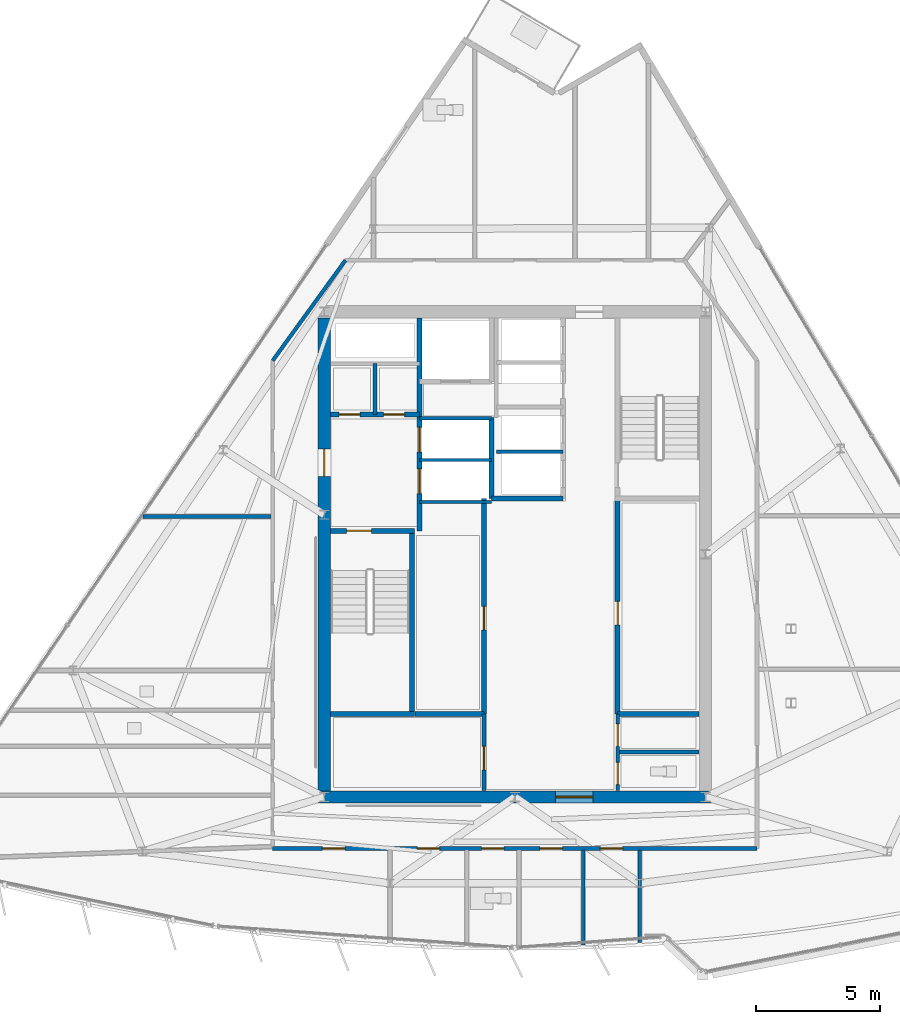
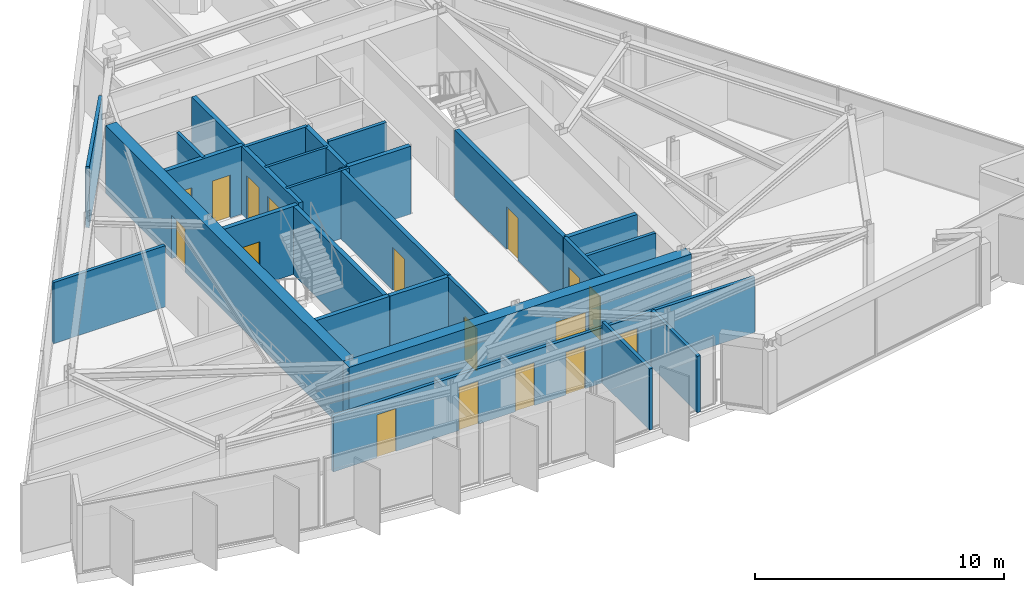
# One storey, part 8 of 14: 26 walls, 17 doors, 17 openings.
"""IFC4 building model written with IfcOpenShell, lengths in metres."""

from ifc_helpers import new_model, si_unit, direction, frame, frame_2d, origin, place, context, subcontext, project, spatial, rectangle, extrude, material, layer, layer_set, type_object, element, fill, save


model = new_model("IFC4")

# Units and contexts
model_context = context("Model", 3, precision=1e-05, world=origin(), true_north=direction((0.0, 1.0)))
body_context = subcontext(model_context, "Body", "Model", "MODEL_VIEW")
ifc_project = project(units=[si_unit("LENGTHUNIT", "METRE"), si_unit("AREAUNIT", "SQUARE_METRE"), si_unit("VOLUMEUNIT", "CUBIC_METRE"), si_unit("PLANEANGLEUNIT", "RADIAN"), si_unit("MASSUNIT", "GRAM", prefix="KILO")], contexts=[model_context])

# Site, building, storey
site_placement = place(None, origin())
site = spatial("IfcSite", under=ifc_project, at=site_placement, CompositionType="ELEMENT")
building_placement = place(site_placement, origin())
building = spatial("IfcBuilding", under=site, at=building_placement, Name="Savorim Split Tower", CompositionType="ELEMENT")
storey_placement = place(building_placement, frame((0.0, 0.0, 294.0)))
storey = spatial("IfcBuildingStorey", under=building, at=storey_placement, Name="L78", CompositionType="ELEMENT", Elevation=294.0)

# Wall, opening, door
ifc_material_1 = material(Name="Concrete C60/75", Category="concrete")
ifc_layer_1 = layer(ifc_material_1, 0.5)
ifc_layer_set_1 = layer_set([ifc_layer_1], Name="WAL-COR-SH500")
wall_type_1 = type_object("IfcWallType", Name="WAL-COR-SH500", PredefinedType="SHEAR", material=ifc_layer_set_1)
wall_1_placement = place(storey_placement, frame((-7.949951171875, -9.39990234375, 0.0), z_axis=(0.0, 0.0, 1.0), x_axis=(1.0, 0.0, 0.0)))
wall_1 = element("IfcWall", 1, at=wall_1_placement, inside=storey, type_object=wall_type_1, Name="L78 Offset Core South Shear Wall", PredefinedType="SHEAR", context=body_context, shape_type="SweptSolid", body=[
    extrude(rectangle(XDim=15.89990234375, YDim=0.5, at=frame_2d((7.949951171875, 0.0))), origin(), (0.0, 0.0, 1.0), 3.340087890625),
])
opening_1_placement = place(wall_1_placement, frame((9.60009765625, 0.0, 0.0)))
opening_1 = element("IfcOpeningElement", 2, at=opening_1_placement, cuts=wall_1, Name="Opening DI-02", PredefinedType="OPENING", context=body_context, shape_type="SweptSolid", body=[
    extrude(rectangle(XDim=1.5, YDim=2.199951171875, at=frame_2d((0.75, 1.10009765625))), frame((0.0, 0.260009765625, 0.0), z_axis=(0.0, -1.0, 0.0), x_axis=(1.0, 0.0, 0.0)), (0.0, 0.0, 1.0), 0.52001953125),
])
ifc_material_2 = material(Name="Timber Fire Door Leaf", Category="wood")
door_type_1 = type_object("IfcDoorType", Name="DOR-DBL-1500", OperationType="NOTDEFINED", PredefinedType="DOOR", material=ifc_material_2)
door_1_placement = place(opening_1_placement, origin())
door_1 = element("IfcDoor", 3, at=door_1_placement, inside=storey, type_object=door_type_1, Name="DOR-L78-COR-LLOB - L78 Lift Lobby Main Rated Door", OperationType="DOUBLE_DOOR_SINGLE_SWING", OverallHeight=2.199951171875, OverallWidth=1.5, PredefinedType="DOOR", context=body_context, shape_type="SweptSolid", body=[
    extrude(rectangle(XDim=1.5, YDim=2.199951171875, at=frame_2d((0.75, 1.10009765625))), frame((0.0, 0.02490234375, 0.0), z_axis=(0.0, -1.0, 0.0), x_axis=(1.0, 0.0, 0.0)), (0.0, 0.0, 1.0), 0.050048828125),
])
fill(opening_1, door_1)

wall_2_placement = place(storey_placement, frame((-7.699951171875, -9.14990234375, 0.0), z_axis=(0.0, 0.0, 1.0), x_axis=(0.0, 1.0, 0.0)))
wall_2 = element("IfcWall", 4, at=wall_2_placement, inside=storey, type_object=wall_type_1, Name="L78 Offset Core West Shear Wall", PredefinedType="SHEAR", context=body_context, shape_type="SweptSolid", body=[
    extrude(rectangle(XDim=19.099853515625, YDim=0.5, at=frame_2d((9.5498046875, 0.0))), origin(), (0.0, 0.0, 1.0), 3.340087890625),
])
opening_2_placement = place(wall_2_placement, frame((12.699951171875, 0.0, 0.0)))
opening_2 = element("IfcOpeningElement", 5, at=opening_2_placement, cuts=wall_2, Name="Opening DI-03", PredefinedType="OPENING", context=body_context, shape_type="SweptSolid", body=[
    extrude(rectangle(XDim=1.10009765625, YDim=2.14990234375, at=frame_2d((0.550048828125, 1.074951171875))), frame((0.0, 0.260009765625, 0.0), z_axis=(0.0, -1.0, 0.0), x_axis=(1.0, 0.0, 0.0)), (0.0, 0.0, 1.0), 0.52001953125),
])
door_type_2 = type_object("IfcDoorType", Name="DOR-FIR-1100", OperationType="NOTDEFINED", PredefinedType="DOOR", material=ifc_material_2)
door_2_placement = place(opening_2_placement, origin())
door_2 = element("IfcDoor", 6, at=door_2_placement, inside=storey, type_object=door_type_2, Name="DOR-L78-COR-FFLOB - L78 Firefighting Lobby Corridor Door", OperationType="SINGLE_SWING_RIGHT", OverallHeight=2.14990234375, OverallWidth=1.10009765625, PredefinedType="DOOR", context=body_context, shape_type="SweptSolid", body=[
    extrude(rectangle(XDim=1.10009765625, YDim=2.14990234375, at=frame_2d((0.550048828125, 1.074951171875))), frame((0.0, 0.02490234375, 0.0), z_axis=(0.0, -1.0, 0.0), x_axis=(1.0, 0.0, 0.0)), (0.0, 0.0, 1.0), 0.050048828125),
])
fill(opening_2, door_2)

ifc_material_3 = material(Name="Concrete C50/60", Category="concrete")
ifc_layer_2 = layer(ifc_material_3, 0.199951171875)
ifc_layer_set_2 = layer_set([ifc_layer_2], Name="WAL-INT-RC200")
wall_type_2 = type_object("IfcWallType", Name="WAL-INT-RC200", PredefinedType="SOLIDWALL", material=ifc_layer_set_2)
wall_3_placement = place(storey_placement, frame((-7.449951171875, 1.35009765625, 0.0), z_axis=(0.0, 0.0, 1.0), x_axis=(1.0, 0.0, 0.0)))
wall_3 = element("IfcWall", 7, at=wall_3_placement, inside=storey, type_object=wall_type_2, Name="L78 Structural Shaft Wall W-L78-CR01", PredefinedType="SOLIDWALL", context=body_context, shape_type="SweptSolid", body=[
    extrude(rectangle(XDim=3.39990234375, YDim=0.199951171875, at=frame_2d((1.699951171875, 0.0))), origin(), (0.0, 0.0, 1.0), 3.340087890625),
])
opening_3_placement = place(wall_3_placement, frame((0.64990234375, 0.0, 0.0)))
opening_3 = element("IfcOpeningElement", 8, at=opening_3_placement, cuts=wall_3, Name="Opening DI-04", PredefinedType="OPENING", context=body_context, shape_type="SweptSolid", body=[
    extrude(rectangle(XDim=1.0, YDim=2.14990234375, at=frame_2d((0.5, 1.074951171875))), frame((0.0, 0.10986328125, 0.0), z_axis=(0.0, -1.0, 0.0), x_axis=(1.0, 0.0, 0.0)), (0.0, 0.0, 1.0), 0.219970703125),
])
door_type_3 = type_object("IfcDoorType", Name="DOR-FIR-1000", OperationType="NOTDEFINED", PredefinedType="DOOR", material=ifc_material_2)
door_3_placement = place(opening_3_placement, origin())
door_3 = element("IfcDoor", 9, at=door_3_placement, inside=storey, type_object=door_type_3, Name="DR-L78-ST1 - L78 Stair ST-1 Enclosure Door", OperationType="SINGLE_SWING_LEFT", OverallHeight=2.14990234375, OverallWidth=1.0, PredefinedType="DOOR", context=body_context, shape_type="SweptSolid", body=[
    extrude(rectangle(XDim=1.0, YDim=2.14990234375, at=frame_2d((0.5, 1.074951171875))), frame((0.0, 0.02490234375, 0.0), z_axis=(0.0, -1.0, 0.0), x_axis=(1.0, 0.0, 0.0)), (0.0, 0.0, 1.0), 0.050048828125),
])
fill(opening_3, door_3)

# Wall
wall_4_placement = place(storey_placement, frame((-4.14990234375, -5.949951171875, 0.0), z_axis=(0.0, 0.0, 1.0), x_axis=(0.0, 1.0, 0.0)))
element("IfcWall", 10, at=wall_4_placement, inside=storey, type_object=wall_type_2, Name="L78 Structural Shaft Wall W-L78-CR02", PredefinedType="SOLIDWALL", context=body_context, shape_type="SweptSolid", body=[
    extrude(rectangle(XDim=7.199951171875, YDim=0.199951171875, at=frame_2d((3.60009765625, 0.0))), origin(), (0.0, 0.0, 1.0), 3.340087890625),
])

# Wall, openings, doors
wall_5_placement = place(storey_placement, frame((-3.85009765625, 1.35009765625, 0.0), z_axis=(0.0, 0.0, 1.0), x_axis=(0.0, 1.0, 0.0)))
wall_5 = element("IfcWall", 11, at=wall_5_placement, inside=storey, type_object=wall_type_2, Name="L78 Partition W-L78-CR03", PredefinedType="SOLIDWALL", context=body_context, shape_type="SweptSolid", body=[
    extrude(rectangle(XDim=8.594970703125, YDim=0.199951171875, at=frame_2d((4.29736328125, 0.0))), origin(), (0.0, 0.0, 1.0), 3.340087890625),
])
opening_4_placement = place(wall_5_placement, frame((1.5, 0.0, 0.0)))
opening_4 = element("IfcOpeningElement", 12, at=opening_4_placement, cuts=wall_5, Name="Opening LD-FFL", PredefinedType="OPENING", context=body_context, shape_type="SweptSolid", body=[
    extrude(rectangle(XDim=1.0, YDim=2.14990234375, at=frame_2d((0.5, 1.074951171875))), frame((0.0, 0.10986328125, 0.0), z_axis=(0.0, -1.0, 0.0), x_axis=(1.0, 0.0, 0.0)), (0.0, 0.0, 1.0), 0.219970703125),
])
opening_5_placement = place(wall_5_placement, frame((3.179931640625, 0.0, 0.0)))
opening_5 = element("IfcOpeningElement", 13, at=opening_5_placement, cuts=wall_5, Name="Opening LD-FFL", PredefinedType="OPENING", context=body_context, shape_type="SweptSolid", body=[
    extrude(rectangle(XDim=1.0, YDim=2.14990234375, at=frame_2d((0.5, 1.074951171875))), frame((0.0, 0.10986328125, 0.0), z_axis=(0.0, -1.0, 0.0), x_axis=(1.0, 0.0, 0.0)), (0.0, 0.0, 1.0), 0.219970703125),
])
ifc_material_4 = material(Name="Charcoal Anodised Aluminium", Category="aluminium")
door_type_4 = type_object("IfcDoorType", Name="DOR-SLD-LD1000", OperationType="NOTDEFINED", PredefinedType="DOOR", material=ifc_material_4)
door_4_placement = place(opening_4_placement, origin())
door_4 = element("IfcDoor", 14, at=door_4_placement, inside=storey, type_object=door_type_4, Name="DR-L78-LD-FFL1 - L78 Firefighting Lift FFL-1 Sliding Landing Door", OperationType="DOUBLE_DOOR_SLIDING", OverallHeight=2.14990234375, OverallWidth=1.0, PredefinedType="DOOR", context=body_context, shape_type="SweptSolid", body=[
    extrude(rectangle(XDim=1.0, YDim=2.14990234375, at=frame_2d((0.5, 1.074951171875))), frame((0.0, 0.02490234375, 0.0), z_axis=(0.0, -1.0, 0.0), x_axis=(1.0, 0.0, 0.0)), (0.0, 0.0, 1.0), 0.050048828125),
])
fill(opening_4, door_4)
door_5_placement = place(opening_5_placement, origin())
door_5 = element("IfcDoor", 15, at=door_5_placement, inside=storey, type_object=door_type_4, Name="DR-L78-LD-FFL2 - L78 Firefighting Lift FFL-2 Sliding Landing Door", OperationType="DOUBLE_DOOR_SLIDING", OverallHeight=2.14990234375, OverallWidth=1.0, PredefinedType="DOOR", context=body_context, shape_type="SweptSolid", body=[
    extrude(rectangle(XDim=1.0, YDim=2.14990234375, at=frame_2d((0.5, 1.074951171875))), frame((0.0, 0.02490234375, 0.0), z_axis=(0.0, -1.0, 0.0), x_axis=(1.0, 0.0, 0.0)), (0.0, 0.0, 1.0), 0.050048828125),
])
fill(opening_5, door_5)

wall_6_placement = place(storey_placement, frame((-7.445068359375, 6.050048828125, 0.0), z_axis=(0.0, 0.0, 1.0), x_axis=(1.0, 0.0, 0.0)))
wall_6 = element("IfcWall", 16, at=wall_6_placement, inside=storey, type_object=wall_type_2, Name="L78 Partition W-L78-CR04", PredefinedType="SOLIDWALL", context=body_context, shape_type="SweptSolid", body=[
    extrude(rectangle(XDim=3.594970703125, YDim=0.199951171875, at=frame_2d((1.79736328125, 0.0))), origin(), (0.0, 0.0, 1.0), 3.340087890625),
])
opening_6_placement = place(wall_6_placement, frame((0.344970703125, 0.0, 0.0)))
opening_6 = element("IfcOpeningElement", 17, at=opening_6_placement, cuts=wall_6, Name="Opening DI-12", PredefinedType="OPENING", context=body_context, shape_type="SweptSolid", body=[
    extrude(rectangle(XDim=0.85009765625, YDim=2.10009765625, at=frame_2d((0.425048828125, 1.050048828125))), frame((0.0, 0.10986328125, 0.0), z_axis=(0.0, -1.0, 0.0), x_axis=(1.0, 0.0, 0.0)), (0.0, 0.0, 1.0), 0.219970703125),
])
opening_7_placement = place(wall_6_placement, frame((2.14501953125, 0.0, 0.0)))
opening_7 = element("IfcOpeningElement", 18, at=opening_7_placement, cuts=wall_6, Name="Opening DI-12", PredefinedType="OPENING", context=body_context, shape_type="SweptSolid", body=[
    extrude(rectangle(XDim=0.85009765625, YDim=2.10009765625, at=frame_2d((0.425048828125, 1.050048828125))), frame((0.0, 0.10986328125, 0.0), z_axis=(0.0, -1.0, 0.0), x_axis=(1.0, 0.0, 0.0)), (0.0, 0.0, 1.0), 0.219970703125),
])
ifc_material_5 = material(Name="Galvanised Painted Steel Balustrade", Category="steel")
door_type_5 = type_object("IfcDoorType", Name="DOR-RIS-850", OperationType="NOTDEFINED", PredefinedType="DOOR", material=ifc_material_5)
door_6_placement = place(opening_6_placement, origin())
door_6 = element("IfcDoor", 19, at=door_6_placement, inside=storey, type_object=door_type_5, Name="DR-L78-ELR - L78 Electrical Riser Access Door", OperationType="SINGLE_SWING_RIGHT", OverallHeight=2.10009765625, OverallWidth=0.85009765625, PredefinedType="DOOR", context=body_context, shape_type="SweptSolid", body=[
    extrude(rectangle(XDim=0.85009765625, YDim=2.10009765625, at=frame_2d((0.425048828125, 1.050048828125))), frame((0.0, 0.02490234375, 0.0), z_axis=(0.0, -1.0, 0.0), x_axis=(1.0, 0.0, 0.0)), (0.0, 0.0, 1.0), 0.050048828125),
])
fill(opening_6, door_6)
door_7_placement = place(opening_7_placement, origin())
door_7 = element("IfcDoor", 20, at=door_7_placement, inside=storey, type_object=door_type_5, Name="DR-L78-TLR - L78 Telecom Riser Access Door", OperationType="SINGLE_SWING_LEFT", OverallHeight=2.10009765625, OverallWidth=0.85009765625, PredefinedType="DOOR", context=body_context, shape_type="SweptSolid", body=[
    extrude(rectangle(XDim=0.85009765625, YDim=2.10009765625, at=frame_2d((0.425048828125, 1.050048828125))), frame((0.0, 0.02490234375, 0.0), z_axis=(0.0, -1.0, 0.0), x_axis=(1.0, 0.0, 0.0)), (0.0, 0.0, 1.0), 0.050048828125),
])
fill(opening_7, door_7)

# Wall
wall_7_placement = place(storey_placement, frame((-0.949951171875, 2.64990234375, 0.0), z_axis=(0.0, 0.0, 1.0), x_axis=(0.0, 1.0, 0.0)))
element("IfcWall", 21, at=wall_7_placement, inside=storey, type_object=wall_type_2, Name="L78 Partition W-L78-FFLW", PredefinedType="SOLIDWALL", context=body_context, shape_type="SweptSolid", body=[
    extrude(rectangle(XDim=3.27001953125, YDim=0.199951171875, at=frame_2d((1.635009765625, 0.0))), origin(), (0.0, 0.0, 1.0), 3.340087890625),
])

# Wall, opening, door
wall_8_placement = place(storey_placement, frame((4.14990234375, -6.050048828125, 0.0), z_axis=(0.0, 0.0, 1.0), x_axis=(0.0, 1.0, 0.0)))
wall_8 = element("IfcWall", 22, at=wall_8_placement, inside=storey, type_object=wall_type_2, Name="L78 Partition W-L78-B1FRONT", PredefinedType="SOLIDWALL", context=body_context, shape_type="SweptSolid", body=[
    extrude(rectangle(XDim=8.699951171875, YDim=0.199951171875, at=frame_2d((4.35009765625, 0.0))), origin(), (0.0, 0.0, 1.0), 3.340087890625),
])
opening_8_placement = place(wall_8_placement, frame((3.60009765625, 0.0, 0.0)))
opening_8 = element("IfcOpeningElement", 23, at=opening_8_placement, cuts=wall_8, Name="Opening DI-05", PredefinedType="OPENING", context=body_context, shape_type="SweptSolid", body=[
    extrude(rectangle(XDim=0.949951171875, YDim=2.10009765625, at=frame_2d((0.47509765625, 1.050048828125))), frame((0.0, 0.10986328125, 0.0), z_axis=(0.0, -1.0, 0.0), x_axis=(1.0, 0.0, 0.0)), (0.0, 0.0, 1.0), 0.219970703125),
])
door_type_6 = type_object("IfcDoorType", Name="DOR-FIR-950", OperationType="NOTDEFINED", PredefinedType="DOOR", material=ifc_material_2)
door_8_placement = place(opening_8_placement, origin())
door_8 = element("IfcDoor", 24, at=door_8_placement, inside=storey, type_object=door_type_6, Name="DR-L78-LV7B1 - L78 Shared Pantry and Linen Room Door", OperationType="SINGLE_SWING_RIGHT", OverallHeight=2.10009765625, OverallWidth=0.949951171875, PredefinedType="DOOR", context=body_context, shape_type="SweptSolid", body=[
    extrude(rectangle(XDim=0.949951171875, YDim=2.10009765625, at=frame_2d((0.47509765625, 1.050048828125))), frame((0.0, 0.02490234375, 0.0), z_axis=(0.0, -1.0, 0.0), x_axis=(1.0, 0.0, 0.0)), (0.0, 0.0, 1.0), 0.050048828125),
])
fill(opening_8, door_8)

wall_9_placement = place(storey_placement, frame((-1.25, -6.050048828125, 0.0), z_axis=(0.0, 0.0, 1.0), x_axis=(0.0, 1.0, 0.0)))
wall_9 = element("IfcWall", 25, at=wall_9_placement, inside=storey, type_object=wall_type_2, Name="L78 Partition W-L78-B2FRONT", PredefinedType="SOLIDWALL", context=body_context, shape_type="SweptSolid", body=[
    extrude(rectangle(XDim=8.699951171875, YDim=0.199951171875, at=frame_2d((4.35009765625, 0.0))), origin(), (0.0, 0.0, 1.0), 3.340087890625),
])
opening_9_placement = place(wall_9_placement, frame((3.39990234375, 0.0, 0.0)))
opening_9 = element("IfcOpeningElement", 26, at=opening_9_placement, cuts=wall_9, Name="Opening DI-05", PredefinedType="OPENING", context=body_context, shape_type="SweptSolid", body=[
    extrude(rectangle(XDim=0.949951171875, YDim=2.10009765625, at=frame_2d((0.47509765625, 1.050048828125))), frame((0.0, 0.10986328125, 0.0), z_axis=(0.0, -1.0, 0.0), x_axis=(1.0, 0.0, 0.0)), (0.0, 0.0, 1.0), 0.219970703125),
])
door_9_placement = place(opening_9_placement, origin())
door_9 = element("IfcDoor", 27, at=door_9_placement, inside=storey, type_object=door_type_6, Name="DR-L78-LV7B2 - L78 Housekeeping and Parcel Room Door", OperationType="SINGLE_SWING_LEFT", OverallHeight=2.10009765625, OverallWidth=0.949951171875, PredefinedType="DOOR", context=body_context, shape_type="SweptSolid", body=[
    extrude(rectangle(XDim=0.949951171875, YDim=2.10009765625, at=frame_2d((0.47509765625, 1.050048828125))), frame((0.0, 0.02490234375, 0.0), z_axis=(0.0, -1.0, 0.0), x_axis=(1.0, 0.0, 0.0)), (0.0, 0.0, 1.0), 0.050048828125),
])
fill(opening_9, door_9)

# Walls
wall_10_placement = place(storey_placement, frame((-0.949951171875, 2.64990234375, 0.0), z_axis=(0.0, 0.0, 1.0), x_axis=(1.0, 0.0, 0.0)))
element("IfcWall", 28, at=wall_10_placement, inside=storey, type_object=wall_type_2, Name="L78 Partition W-L78-B3SOUTH", PredefinedType="SOLIDWALL", context=body_context, shape_type="SweptSolid", body=[
    extrude(rectangle(XDim=2.89990234375, YDim=0.199951171875, at=frame_2d((1.449951171875, 0.0))), origin(), (0.0, 0.0, 1.0), 3.340087890625),
])
wall_11_placement = place(storey_placement, frame((-7.449951171875, -6.050048828125, 0.0), z_axis=(0.0, 0.0, 1.0), x_axis=(1.0, 0.0, 0.0)))
element("IfcWall", 29, at=wall_11_placement, inside=storey, type_object=wall_type_2, Name="L78 Structural Shaft Wall W-L78-KSEP-W", PredefinedType="SOLIDWALL", context=body_context, shape_type="SweptSolid", body=[
    extrude(rectangle(XDim=3.39990234375, YDim=0.199951171875, at=frame_2d((1.699951171875, 0.0))), origin(), (0.0, 0.0, 1.0), 3.340087890625),
])
wall_12_placement = place(storey_placement, frame((-4.0400390625, -6.050048828125, 0.0), z_axis=(0.0, 0.0, 1.0), x_axis=(1.0, 0.0, 0.0)))
element("IfcWall", 30, at=wall_12_placement, inside=storey, type_object=wall_type_2, Name="L78 Partition W-L78-KSEP-W2", PredefinedType="SOLIDWALL", context=body_context, shape_type="SweptSolid", body=[
    extrude(rectangle(XDim=2.7900390625, YDim=0.199951171875, at=frame_2d((1.39501953125, 0.0))), origin(), (0.0, 0.0, 1.0), 3.340087890625),
])
wall_13_placement = place(storey_placement, frame((4.14990234375, -6.050048828125, 0.0), z_axis=(0.0, 0.0, 1.0), x_axis=(1.0, 0.0, 0.0)))
element("IfcWall", 31, at=wall_13_placement, inside=storey, type_object=wall_type_2, Name="L78 Partition W-L78-KSEP-E", PredefinedType="SOLIDWALL", context=body_context, shape_type="SweptSolid", body=[
    extrude(rectangle(XDim=3.295166015625, YDim=0.199951171875, at=frame_2d((1.6474609375, 0.0))), origin(), (0.0, 0.0, 1.0), 3.340087890625),
])
ifc_material_6 = material(Name="Acoustic Gypsum Partition Board")
ifc_layer_3 = layer(ifc_material_6, 0.1201171875)
ifc_layer_set_3 = layer_set([ifc_layer_3], Name="WAL-PAR-120")
wall_type_3 = type_object("IfcWallType", Name="WAL-PAR-120", PredefinedType="PARTITIONING", material=ifc_layer_set_3)
for number, where, z_axis, x_axis, name in (
    (32, (-3.85009765625, 2.52001953125, 0.0), (0.0, 0.0, 1.0), (1.0, 0.0, 0.0), "L78 Partition W-L78-FFLD0"),
    (33, (-3.85009765625, 4.219970703125, 0.0), (0.0, 0.0, 1.0), (1.0, 0.0, 0.0), "L78 Partition W-L78-FFLD1"),
):
    element("IfcWall", number, at=place(storey_placement, frame(where, z_axis=z_axis, x_axis=x_axis)), inside=storey, type_object=wall_type_3, Name=name, PredefinedType="PARTITIONING", context=body_context, shape_type="SweptSolid", body=[
        extrude(rectangle(XDim=2.900146484375, YDim=0.1201171875, at=frame_2d((1.4501953125, 0.0))), origin(), (0.0, 0.0, 1.0), 3.340087890625),
    ])
ifc_layer_4 = layer(ifc_material_6, 0.14990234375)
ifc_layer_set_4 = layer_set([ifc_layer_4], Name="WAL-PAR-150")
wall_type_4 = type_object("IfcWallType", Name="WAL-PAR-150", PredefinedType="PARTITIONING", material=ifc_layer_set_4)
wall_14_placement = place(storey_placement, frame((-5.64990234375, 6.050048828125, 0.0), z_axis=(0.0, 0.0, 1.0), x_axis=(0.0, 1.0, 0.0)))
element("IfcWall", 34, at=wall_14_placement, inside=storey, type_object=wall_type_4, Name="L78 Partition W-L78-CR06", PredefinedType="PARTITIONING", context=body_context, shape_type="SweptSolid", body=[
    extrude(rectangle(XDim=2.050048828125, YDim=0.14990234375, at=frame_2d((1.02490234375, 0.0))), origin(), (0.0, 0.0, 1.0), 3.340087890625),
])
wall_15_placement = place(storey_placement, frame((-3.85009765625, 5.89990234375, 0.0), z_axis=(0.0, 0.0, 1.0), x_axis=(1.0, 0.0, 0.0)))
element("IfcWall", 35, at=wall_15_placement, inside=storey, type_object=wall_type_4, Name="L78 Partition W-L78-FFLD2", PredefinedType="PARTITIONING", context=body_context, shape_type="SweptSolid", body=[
    extrude(rectangle(XDim=2.900146484375, YDim=0.14990234375, at=frame_2d((1.4501953125, 0.0))), origin(), (0.0, 0.0, 1.0), 3.340087890625),
])
wall_16_placement = place(storey_placement, frame((-0.75, 4.550048828125, 0.0), z_axis=(0.0, 0.0, 1.0), x_axis=(1.0, 0.0, 0.0)))
element("IfcWall", 36, at=wall_16_placement, inside=storey, type_object=wall_type_4, Name="L78 Partition W-L78-B3DIV1", PredefinedType="PARTITIONING", context=body_context, shape_type="SweptSolid", body=[
    extrude(rectangle(XDim=2.699951171875, YDim=0.14990234375, at=frame_2d((1.35009765625, 0.0))), origin(), (0.0, 0.0, 1.0), 3.340087890625),
])

# Wall, opening, door
wall_17_placement = place(storey_placement, frame((-1.25, -9.14501953125, 0.0), z_axis=(0.0, 0.0, 1.0), x_axis=(0.0, 1.0, 0.0)))
wall_17 = element("IfcWall", 37, at=wall_17_placement, inside=storey, type_object=wall_type_4, Name="L78 Partition W-L78-KLOB-W", PredefinedType="PARTITIONING", context=body_context, shape_type="SweptSolid", body=[
    extrude(rectangle(XDim=3.094970703125, YDim=0.14990234375, at=frame_2d((1.54736328125, 0.0))), origin(), (0.0, 0.0, 1.0), 3.340087890625),
])
opening_10_placement = place(wall_17_placement, frame((0.844970703125, 0.0, 0.0)))
opening_10 = element("IfcOpeningElement", 38, at=opening_10_placement, cuts=wall_17, Name="Opening DI-05", PredefinedType="OPENING", context=body_context, shape_type="SweptSolid", body=[
    extrude(rectangle(XDim=0.949951171875, YDim=2.10009765625, at=frame_2d((0.47509765625, 1.050048828125))), frame((0.0, 0.0849609375, 0.0), z_axis=(0.0, -1.0, 0.0), x_axis=(1.0, 0.0, 0.0)), (0.0, 0.0, 1.0), 0.169921875),
])
door_10_placement = place(opening_10_placement, origin())
door_10 = element("IfcDoor", 39, at=door_10_placement, inside=storey, type_object=door_type_6, Name="DR-L78-K3LIN - L78 Housekeeping Store Door", OperationType="SINGLE_SWING_LEFT", OverallHeight=2.10009765625, OverallWidth=0.949951171875, PredefinedType="DOOR", context=body_context, shape_type="SweptSolid", body=[
    extrude(rectangle(XDim=0.949951171875, YDim=2.10009765625, at=frame_2d((0.47509765625, 1.050048828125))), frame((0.0, 0.02490234375, 0.0), z_axis=(0.0, -1.0, 0.0), x_axis=(1.0, 0.0, 0.0)), (0.0, 0.0, 1.0), 0.050048828125),
])
fill(opening_10, door_10)

# Wall, openings, doors
wall_18_placement = place(storey_placement, frame((4.14990234375, -9.14501953125, 0.0), z_axis=(0.0, 0.0, 1.0), x_axis=(0.0, 1.0, 0.0)))
wall_18 = element("IfcWall", 40, at=wall_18_placement, inside=storey, type_object=wall_type_4, Name="L78 Partition W-L78-KLOB-E", PredefinedType="PARTITIONING", context=body_context, shape_type="SweptSolid", body=[
    extrude(rectangle(XDim=3.094970703125, YDim=0.14990234375, at=frame_2d((1.54736328125, 0.0))), origin(), (0.0, 0.0, 1.0), 3.340087890625),
])
opening_11_placement = place(wall_18_placement, frame((0.2451171875, 0.0, 0.0)))
opening_11 = element("IfcOpeningElement", 41, at=opening_11_placement, cuts=wall_18, Name="Opening DI-11", PredefinedType="OPENING", context=body_context, shape_type="SweptSolid", body=[
    extrude(rectangle(XDim=0.89990234375, YDim=2.10009765625, at=frame_2d((0.449951171875, 1.050048828125))), frame((0.0, 0.0849609375, 0.0), z_axis=(0.0, -1.0, 0.0), x_axis=(1.0, 0.0, 0.0)), (0.0, 0.0, 1.0), 0.169921875),
])
opening_12_placement = place(wall_18_placement, frame((1.794921875, 0.0, 0.0)))
opening_12 = element("IfcOpeningElement", 42, at=opening_12_placement, cuts=wall_18, Name="Opening DI-06", PredefinedType="OPENING", context=body_context, shape_type="SweptSolid", body=[
    extrude(rectangle(XDim=0.89990234375, YDim=2.10009765625, at=frame_2d((0.449951171875, 1.050048828125))), frame((0.0, 0.0849609375, 0.0), z_axis=(0.0, -1.0, 0.0), x_axis=(1.0, 0.0, 0.0)), (0.0, 0.0, 1.0), 0.169921875),
])
door_type_7 = type_object("IfcDoorType", Name="DOR-FIR-900", OperationType="NOTDEFINED", PredefinedType="DOOR", material=ifc_material_2)
door_11_placement = place(opening_12_placement, origin())
door_11 = element("IfcDoor", 43, at=door_11_placement, inside=storey, type_object=door_type_7, Name="DR-L78-K3LCK - L78 Cleaning Store Door", OperationType="SINGLE_SWING_LEFT", OverallHeight=2.10009765625, OverallWidth=0.89990234375, PredefinedType="DOOR", context=body_context, shape_type="SweptSolid", body=[
    extrude(rectangle(XDim=0.89990234375, YDim=2.10009765625, at=frame_2d((0.449951171875, 1.050048828125))), frame((0.0, 0.02490234375, 0.0), z_axis=(0.0, -1.0, 0.0), x_axis=(1.0, 0.0, 0.0)), (0.0, 0.0, 1.0), 0.050048828125),
])
fill(opening_12, door_11)
ifc_material_7 = material(Name="Oak Veneer Acoustic Door")
door_type_8 = type_object("IfcDoorType", Name="DOR-WC-900", OperationType="NOTDEFINED", PredefinedType="DOOR", material=ifc_material_7)
door_12_placement = place(opening_11_placement, origin())
door_12 = element("IfcDoor", 44, at=door_12_placement, inside=storey, type_object=door_type_8, Name="DR-L78-K3AWC - L78 Core Accessible WC Door", OperationType="SINGLE_SWING_RIGHT", OverallHeight=2.10009765625, OverallWidth=0.89990234375, PredefinedType="DOOR", context=body_context, shape_type="SweptSolid", body=[
    extrude(rectangle(XDim=0.89990234375, YDim=2.10009765625, at=frame_2d((0.449951171875, 1.050048828125))), frame((0.0, 0.02490234375, 0.0), z_axis=(0.0, -1.0, 0.0), x_axis=(1.0, 0.0, 0.0)), (0.0, 0.0, 1.0), 0.050048828125),
])
fill(opening_11, door_12)

# Walls
wall_19_placement = place(storey_placement, frame((4.14990234375, -7.580078125, 0.0), z_axis=(0.0, 0.0, 1.0), x_axis=(1.0, 0.0, 0.0)))
element("IfcWall", 45, at=wall_19_placement, inside=storey, type_object=wall_type_4, Name="L78 Partition W-L78-K3H", PredefinedType="PARTITIONING", context=body_context, shape_type="SweptSolid", body=[
    extrude(rectangle(XDim=3.295166015625, YDim=0.14990234375, at=frame_2d((1.6474609375, 0.0))), origin(), (0.0, 0.0, 1.0), 3.340087890625),
])
wall_20_placement = place(storey_placement, frame((-9.780029296875, 8.225830078125, 0.0), z_axis=(0.0, 0.0, 1.0), x_axis=(0.586956386413, 0.809618552436, 0.0)))
element("IfcWall", 46, at=wall_20_placement, inside=storey, type_object=wall_type_4, Name="L78 Partition W-L78-COR-02", PredefinedType="PARTITIONING", context=body_context, shape_type="SweptSolid", body=[
    extrude(rectangle(XDim=5.007568359375, YDim=0.14990234375, at=frame_2d((2.50390625, 0.0))), origin(), (0.0, 0.0, 1.0), 3.0048828125),
])

# Wall, openings, doors
wall_21_placement = place(storey_placement, frame((9.780029296875, -11.47998046875, 0.0), z_axis=(0.0, 0.0, 1.0), x_axis=(-1.0, 0.0, 0.0)))
wall_21 = element("IfcWall", 47, at=wall_21_placement, inside=storey, type_object=wall_type_4, Name="L78 Partition W-L78-COR-06", PredefinedType="PARTITIONING", context=body_context, shape_type="SweptSolid", body=[
    extrude(rectangle(XDim=19.56005859375, YDim=0.14990234375, at=frame_2d((9.780029296875, 0.0))), origin(), (0.0, 0.0, 1.0), 2.715087890625),
])
opening_13_placement = place(wall_21_placement, frame((16.650634765625, 0.0, 0.0)))
opening_13 = element("IfcOpeningElement", 48, at=opening_13_placement, cuts=wall_21, Name="Opening DI-06", PredefinedType="OPENING", context=body_context, shape_type="SweptSolid", body=[
    extrude(rectangle(XDim=0.89990234375, YDim=2.10009765625, at=frame_2d((0.449951171875, 1.050048828125))), frame((0.0, 0.0849609375, 0.0), z_axis=(0.0, -1.0, 0.0), x_axis=(1.0, 0.0, 0.0)), (0.0, 0.0, 1.0), 0.169921875),
])
opening_14_placement = place(wall_21_placement, frame((12.822998046875, 0.0, 0.0)))
opening_14 = element("IfcOpeningElement", 49, at=opening_14_placement, cuts=wall_21, Name="Opening DI-06", PredefinedType="OPENING", context=body_context, shape_type="SweptSolid", body=[
    extrude(rectangle(XDim=0.89990234375, YDim=2.10009765625, at=frame_2d((0.449951171875, 1.050048828125))), frame((0.0, 0.0849609375, 0.0), z_axis=(0.0, -1.0, 0.0), x_axis=(1.0, 0.0, 0.0)), (0.0, 0.0, 1.0), 0.169921875),
])
opening_15_placement = place(wall_21_placement, frame((10.2216796875, 0.0, 0.0)))
opening_15 = element("IfcOpeningElement", 50, at=opening_15_placement, cuts=wall_21, Name="Opening DI-11", PredefinedType="OPENING", context=body_context, shape_type="SweptSolid", body=[
    extrude(rectangle(XDim=0.89990234375, YDim=2.10009765625, at=frame_2d((0.449951171875, 1.050048828125))), frame((0.0, 0.0849609375, 0.0), z_axis=(0.0, -1.0, 0.0), x_axis=(1.0, 0.0, 0.0)), (0.0, 0.0, 1.0), 0.169921875),
])
opening_16_placement = place(wall_21_placement, frame((7.866943359375, 0.0, 0.0)))
opening_16 = element("IfcOpeningElement", 51, at=opening_16_placement, cuts=wall_21, Name="Opening DI-06", PredefinedType="OPENING", context=body_context, shape_type="SweptSolid", body=[
    extrude(rectangle(XDim=0.89990234375, YDim=2.10009765625, at=frame_2d((0.449951171875, 1.050048828125))), frame((0.0, 0.0849609375, 0.0), z_axis=(0.0, -1.0, 0.0), x_axis=(1.0, 0.0, 0.0)), (0.0, 0.0, 1.0), 0.169921875),
])
opening_17_placement = place(wall_21_placement, frame((5.428466796875, 0.0, 0.0)))
opening_17 = element("IfcOpeningElement", 52, at=opening_17_placement, cuts=wall_21, Name="Opening DI-06", PredefinedType="OPENING", context=body_context, shape_type="SweptSolid", body=[
    extrude(rectangle(XDim=0.89990234375, YDim=2.10009765625, at=frame_2d((0.449951171875, 1.050048828125))), frame((0.0, 0.0849609375, 0.0), z_axis=(0.0, -1.0, 0.0), x_axis=(1.0, 0.0, 0.0)), (0.0, 0.0, 1.0), 0.169921875),
])
door_13_placement = place(opening_13_placement, origin())
door_13 = element("IfcDoor", 53, at=door_13_placement, inside=storey, type_object=door_type_7, Name="DR-L78-RM06 - L78 Maker Workshop Entry Door", OperationType="SINGLE_SWING_LEFT", OverallHeight=2.10009765625, OverallWidth=0.89990234375, PredefinedType="DOOR", context=body_context, shape_type="SweptSolid", body=[
    extrude(rectangle(XDim=0.89990234375, YDim=2.10009765625, at=frame_2d((0.449951171875, 1.050048828125))), frame((0.0, 0.02490234375, 0.0), z_axis=(0.0, -1.0, 0.0), x_axis=(1.0, 0.0, 0.0)), (0.0, 0.0, 1.0), 0.050048828125),
])
fill(opening_13, door_13)
door_14_placement = place(opening_14_placement, origin())
door_14 = element("IfcDoor", 54, at=door_14_placement, inside=storey, type_object=door_type_7, Name="DR-L78-RM07 - L78 Quiet Study Room Entry Door", OperationType="SINGLE_SWING_RIGHT", OverallHeight=2.10009765625, OverallWidth=0.89990234375, PredefinedType="DOOR", context=body_context, shape_type="SweptSolid", body=[
    extrude(rectangle(XDim=0.89990234375, YDim=2.10009765625, at=frame_2d((0.449951171875, 1.050048828125))), frame((0.0, 0.02490234375, 0.0), z_axis=(0.0, -1.0, 0.0), x_axis=(1.0, 0.0, 0.0)), (0.0, 0.0, 1.0), 0.050048828125),
])
fill(opening_14, door_14)
door_15_placement = place(opening_16_placement, origin())
door_15 = element("IfcDoor", 55, at=door_15_placement, inside=storey, type_object=door_type_7, Name="DR-L78-RM09 - L78 Quiet Study Room Entry Door", OperationType="SINGLE_SWING_RIGHT", OverallHeight=2.10009765625, OverallWidth=0.89990234375, PredefinedType="DOOR", context=body_context, shape_type="SweptSolid", body=[
    extrude(rectangle(XDim=0.89990234375, YDim=2.10009765625, at=frame_2d((0.449951171875, 1.050048828125))), frame((0.0, 0.02490234375, 0.0), z_axis=(0.0, -1.0, 0.0), x_axis=(1.0, 0.0, 0.0)), (0.0, 0.0, 1.0), 0.050048828125),
])
fill(opening_16, door_15)
door_16_placement = place(opening_17_placement, origin())
door_16 = element("IfcDoor", 56, at=door_16_placement, inside=storey, type_object=door_type_7, Name="DR-L78-RM10 - L78 Co-Living Bedroom Entry Door", OperationType="SINGLE_SWING_LEFT", OverallHeight=2.10009765625, OverallWidth=0.89990234375, PredefinedType="DOOR", context=body_context, shape_type="SweptSolid", body=[
    extrude(rectangle(XDim=0.89990234375, YDim=2.10009765625, at=frame_2d((0.449951171875, 1.050048828125))), frame((0.0, 0.02490234375, 0.0), z_axis=(0.0, -1.0, 0.0), x_axis=(1.0, 0.0, 0.0)), (0.0, 0.0, 1.0), 0.050048828125),
])
fill(opening_17, door_16)
door_17_placement = place(opening_15_placement, origin())
door_17 = element("IfcDoor", 57, at=door_17_placement, inside=storey, type_object=door_type_8, Name="DR-L78-RM08 - L78 Shared Bathroom Entry Door", OperationType="SINGLE_SWING_LEFT", OverallHeight=2.10009765625, OverallWidth=0.89990234375, PredefinedType="DOOR", context=body_context, shape_type="SweptSolid", body=[
    extrude(rectangle(XDim=0.89990234375, YDim=2.10009765625, at=frame_2d((0.449951171875, 1.050048828125))), frame((0.0, 0.02490234375, 0.0), z_axis=(0.0, -1.0, 0.0), x_axis=(1.0, 0.0, 0.0)), (0.0, 0.0, 1.0), 0.050048828125),
])
fill(opening_15, door_17)

# Walls
wall_22_placement = place(storey_placement, frame((5.039794921875, -11.5400390625, 0.0), z_axis=(0.0, 0.0, 1.0), x_axis=(0.0, -1.0, 0.0)))
element("IfcWall", 58, at=wall_22_placement, inside=storey, type_object=wall_type_4, Name="L78 Partition W-L78-PRAD03", PredefinedType="PARTITIONING", context=body_context, shape_type="SweptSolid", body=[
    extrude(rectangle(XDim=3.727294921875, YDim=0.14990234375, at=frame_2d((1.86376953125, 0.0))), origin(), (0.0, 0.0, 1.0), 2.764892578125),
])
wall_23_placement = place(storey_placement, frame((2.763671875, -11.5400390625, 0.0), z_axis=(0.0, 0.0, 1.0), x_axis=(0.0, -1.0, 0.0)))
element("IfcWall", 59, at=wall_23_placement, inside=storey, type_object=wall_type_4, Name="L78 Partition W-L78-SUB07", PredefinedType="PARTITIONING", context=body_context, shape_type="SweptSolid", body=[
    extrude(rectangle(XDim=3.82958984375, YDim=0.14990234375, at=frame_2d((1.914794921875, 0.0))), origin(), (0.0, 0.0, 1.0), 3.0048828125),
])
wall_24_placement = place(storey_placement, frame((-9.840087890625, 1.929931640625, 0.0), z_axis=(0.0, 0.0, 1.0), x_axis=(-1.0, 0.0, 0.0)))
element("IfcWall", 60, at=wall_24_placement, inside=storey, type_object=wall_type_4, Name="L78 Partition W-L78-SUB11", PredefinedType="PARTITIONING", context=body_context, shape_type="SweptSolid", body=[
    extrude(rectangle(XDim=5.185791015625, YDim=0.14990234375, at=frame_2d((2.5927734375, 0.0))), origin(), (0.0, 0.0, 1.0), 3.0048828125),
])

save(model, "model.ifc")
